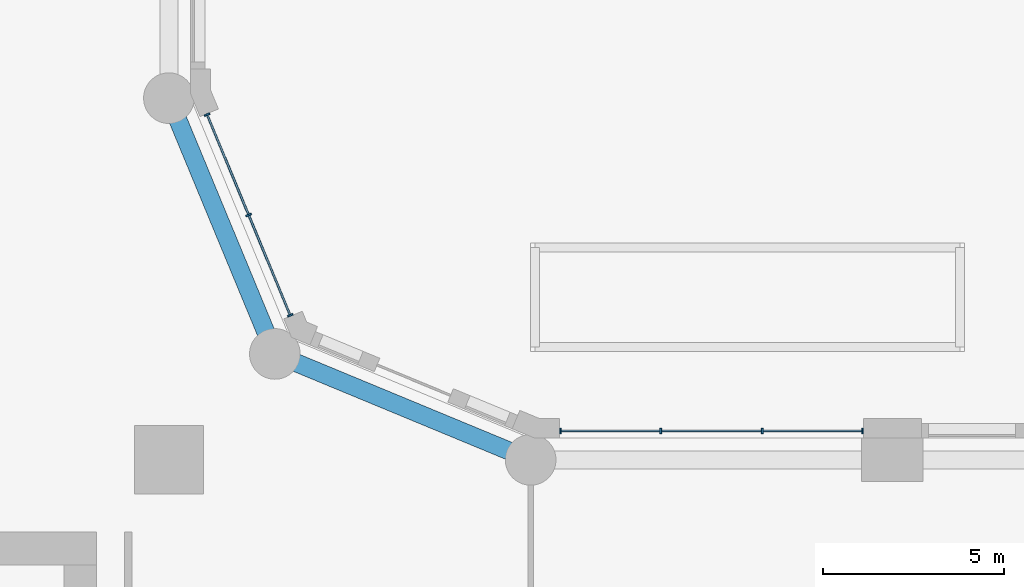
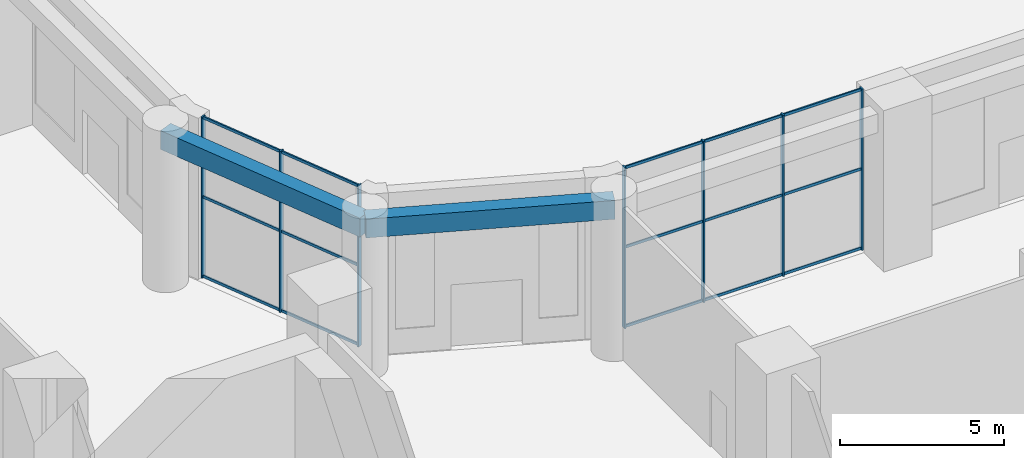
# One storey, part 6 of 28: 22 members, 2 beams, 2 elements without a shape of their own.
"""IFC4 building model written with IfcOpenShell, lengths in metres."""

from ifc_helpers import new_model, si_unit, direction, frame, origin, origin_2d, place, context, subcontext, project, spatial, rectangle, extrude, material, layer, layer_set, material_profile, profile_set, type_object, element, aggregate, save


model = new_model("IFC4")

# Units and contexts
model_context = context("Model", 3, precision=1e-05, world=origin(), true_north=direction((0.0, 1.0)))
body_context = subcontext(model_context, "Body", "Model", "MODEL_VIEW")
ifc_project = project(units=[si_unit("LENGTHUNIT", "METRE"), si_unit("AREAUNIT", "SQUARE_METRE"), si_unit("VOLUMEUNIT", "CUBIC_METRE"), si_unit("PLANEANGLEUNIT", "RADIAN"), si_unit("MASSUNIT", "GRAM", prefix="KILO")], contexts=[model_context])

# Site, building, storey
site_placement = place(None, origin())
site = spatial("IfcSite", under=ifc_project, at=site_placement, CompositionType="ELEMENT")
building_placement = place(site_placement, origin())
building = spatial("IfcBuilding", under=site, at=building_placement, Name="Qaws Garden Tower", CompositionType="ELEMENT")
storey_placement = place(building_placement, frame((0.0, 0.0, 6.0)))
storey = spatial("IfcBuildingStorey", under=building, at=storey_placement, Name="L01", CompositionType="ELEMENT", Elevation=6.0)

# Curtain wall, members
ifc_material_1 = material(Name="Anodised aluminium curtain wall frame", Category="aluminium")
ifc_layer = layer(ifc_material_1, 0.159912109375)
ifc_layer_set = layer_set([ifc_layer], Name="Anodised aluminium curtain wall frame")
curtain_wall_type = type_object("IfcCurtainWallType", Name="CW4 garden level glazing curtain wall", PredefinedType="NOTDEFINED", material=ifc_layer_set)
placement = place(storey_placement, origin())
curtain_wall_1 = element("IfcCurtainWall", 1, at=placement, inside=storey, type_object=curtain_wall_type, Name="CW4 Garden level glazing 10", PredefinedType="NOTDEFINED")
ifc_material_2 = material(Name="Anodised aluminium curtain wall frame", Category="aluminium")
ifc_material_profile_1 = material_profile(ifc_material_2, rectangle(XDim=0.159912109375, YDim=0.050048828125, at=origin_2d()), Name="AL 50x160")
ifc_profile_set_1 = profile_set([ifc_material_profile_1], Name="Anodised aluminium curtain wall frame")
member_type_1 = type_object("IfcMemberType", Name="CW4 mullion 50 x 160", PredefinedType="MULLION", material=ifc_profile_set_1)
member_1_placement = place(storey_placement, frame((49.175048828125, 30.800048828125, 0.0), z_axis=(0.0, 0.0, 1.0), x_axis=(0.0, -1.0, 0.0)))
member_1 = element("IfcMember", 2, at=member_1_placement, type_object=member_type_1, Name="CW4 mullion 1", PredefinedType="MULLION", context=body_context, shape_type="SweptSolid", body=[
    extrude(rectangle(XDim=0.159912109375, YDim=0.050048828125, at=origin_2d()), origin(), (0.0, 0.0, 1.0), 6.0),
])
member_2_placement = place(storey_placement, frame((46.39990234375, 30.800048828125, 0.0), z_axis=(0.0, 0.0, 1.0), x_axis=(0.0, -1.0, 0.0)))
member_2 = element("IfcMember", 3, at=member_2_placement, type_object=member_type_1, Name="CW4 mullion 2", PredefinedType="MULLION", context=body_context, shape_type="SweptSolid", body=[
    extrude(rectangle(XDim=0.159912109375, YDim=0.050048828125, at=origin_2d()), origin(), (0.0, 0.0, 1.0), 6.0),
])
member_3_placement = place(storey_placement, frame((43.60009765625, 30.800048828125, 0.0), z_axis=(0.0, 0.0, 1.0), x_axis=(0.0, -1.0, 0.0)))
member_3 = element("IfcMember", 4, at=member_3_placement, type_object=member_type_1, Name="CW4 mullion 3", PredefinedType="MULLION", context=body_context, shape_type="SweptSolid", body=[
    extrude(rectangle(XDim=0.159912109375, YDim=0.050048828125, at=origin_2d()), origin(), (0.0, 0.0, 1.0), 6.0),
])
member_4_placement = place(storey_placement, frame((40.824951171875, 30.800048828125, 0.0), z_axis=(0.0, 0.0, 1.0), x_axis=(0.0, -1.0, 0.0)))
member_4 = element("IfcMember", 5, at=member_4_placement, type_object=member_type_1, Name="CW4 mullion 4", PredefinedType="MULLION", context=body_context, shape_type="SweptSolid", body=[
    extrude(rectangle(XDim=0.159912109375, YDim=0.050048828125, at=origin_2d()), origin(), (0.0, 0.0, 1.0), 6.0),
])

curtain_wall_2 = element("IfcCurtainWall", 6, at=placement, inside=storey, type_object=curtain_wall_type, Name="CW4 Garden level glazing 12", PredefinedType="NOTDEFINED")
member_5_placement = place(storey_placement, frame((33.352294921875, 33.997314453125, 0.0), z_axis=(0.0, 0.0, 1.0), x_axis=(-0.923879532538, -0.382683432301, 0.0)))
member_5 = element("IfcMember", 7, at=member_5_placement, type_object=member_type_1, Name="CW4 mullion 1", PredefinedType="MULLION", context=body_context, shape_type="SweptSolid", body=[
    extrude(rectangle(XDim=0.159912109375, YDim=0.050048828125, at=origin_2d()), origin(), (0.0, 0.0, 1.0), 6.0),
])
member_6_placement = place(storey_placement, frame((32.20361328125, 36.7705078125, 0.0), z_axis=(0.0, 0.0, 1.0), x_axis=(-0.923879532538, -0.382683432301, 0.0)))
member_6 = element("IfcMember", 8, at=member_6_placement, type_object=member_type_1, Name="CW4 mullion 2", PredefinedType="MULLION", context=body_context, shape_type="SweptSolid", body=[
    extrude(rectangle(XDim=0.159912109375, YDim=0.050048828125, at=origin_2d()), origin(), (0.0, 0.0, 1.0), 6.0),
])
member_7_placement = place(storey_placement, frame((31.054931640625, 39.5439453125, 0.0), z_axis=(0.0, 0.0, 1.0), x_axis=(-0.923879532538, -0.382683432301, 0.0)))
member_7 = element("IfcMember", 9, at=member_7_placement, type_object=member_type_1, Name="CW4 mullion 3", PredefinedType="MULLION", context=body_context, shape_type="SweptSolid", body=[
    extrude(rectangle(XDim=0.159912109375, YDim=0.050048828125, at=origin_2d()), origin(), (0.0, 0.0, 1.0), 6.0),
])

# Member
ifc_material_3 = material(Name="Anodised aluminium curtain wall frame", Category="aluminium")
ifc_material_profile_2 = material_profile(ifc_material_3, rectangle(XDim=0.050048828125, YDim=0.10009765625, at=origin_2d()), Name="AL 50x100")
ifc_profile_set_2 = profile_set([ifc_material_profile_2], Name="Anodised aluminium curtain wall frame")
member_type_2 = type_object("IfcMemberType", Name="CW4 transom 100 x 50", PredefinedType="USERDEFINED", material=ifc_profile_set_2)
member_8_placement = place(storey_placement, frame((49.14990234375, 30.800048828125, 0.050048828125), z_axis=(-1.0, 0.0, 0.0), x_axis=(0.0, -1.0, 0.0)))
member_8 = element("IfcMember", 10, at=member_8_placement, type_object=member_type_2, Name="CW4 transom 1.1", ObjectType="TRANSOM", PredefinedType="USERDEFINED", context=body_context, shape_type="SweptSolid", body=[
    extrude(rectangle(XDim=0.050048828125, YDim=0.10009765625, at=origin_2d()), origin(), (0.0, 0.0, 1.0), 2.724853515625),
])

member_9_placement = place(storey_placement, frame((49.14990234375, 30.800048828125, 3.0), z_axis=(-1.0, 0.0, 0.0), x_axis=(0.0, -1.0, 0.0)))
member_9 = element("IfcMember", 11, at=member_9_placement, type_object=member_type_2, Name="CW4 transom 1.2", ObjectType="TRANSOM", PredefinedType="USERDEFINED", context=body_context, shape_type="SweptSolid", body=[
    extrude(rectangle(XDim=0.050048828125, YDim=0.10009765625, at=origin_2d()), origin(), (0.0, 0.0, 1.0), 2.724853515625),
])

member_10_placement = place(storey_placement, frame((49.14990234375, 30.800048828125, 5.949951171875), z_axis=(-1.0, 0.0, 0.0), x_axis=(0.0, -1.0, 0.0)))
member_10 = element("IfcMember", 12, at=member_10_placement, type_object=member_type_2, Name="CW4 transom 1.3", ObjectType="TRANSOM", PredefinedType="USERDEFINED", context=body_context, shape_type="SweptSolid", body=[
    extrude(rectangle(XDim=0.050048828125, YDim=0.10009765625, at=origin_2d()), origin(), (0.0, 0.0, 1.0), 2.724853515625),
])

member_11_placement = place(storey_placement, frame((46.375, 30.800048828125, 0.050048828125), z_axis=(-1.0, 0.0, 0.0), x_axis=(0.0, -1.0, 0.0)))
member_11 = element("IfcMember", 13, at=member_11_placement, type_object=member_type_2, Name="CW4 transom 2.1", ObjectType="TRANSOM", PredefinedType="USERDEFINED", context=body_context, shape_type="SweptSolid", body=[
    extrude(rectangle(XDim=0.050048828125, YDim=0.10009765625, at=origin_2d()), origin(), (0.0, 0.0, 1.0), 2.75),
])

member_12_placement = place(storey_placement, frame((46.375, 30.800048828125, 3.0), z_axis=(-1.0, 0.0, 0.0), x_axis=(0.0, -1.0, 0.0)))
member_12 = element("IfcMember", 14, at=member_12_placement, type_object=member_type_2, Name="CW4 transom 2.2", ObjectType="TRANSOM", PredefinedType="USERDEFINED", context=body_context, shape_type="SweptSolid", body=[
    extrude(rectangle(XDim=0.050048828125, YDim=0.10009765625, at=origin_2d()), origin(), (0.0, 0.0, 1.0), 2.75),
])

member_13_placement = place(storey_placement, frame((46.375, 30.800048828125, 5.949951171875), z_axis=(-1.0, 0.0, 0.0), x_axis=(0.0, -1.0, 0.0)))
member_13 = element("IfcMember", 15, at=member_13_placement, type_object=member_type_2, Name="CW4 transom 2.3", ObjectType="TRANSOM", PredefinedType="USERDEFINED", context=body_context, shape_type="SweptSolid", body=[
    extrude(rectangle(XDim=0.050048828125, YDim=0.10009765625, at=origin_2d()), origin(), (0.0, 0.0, 1.0), 2.75),
])

member_14_placement = place(storey_placement, frame((43.574951171875, 30.800048828125, 0.050048828125), z_axis=(-1.0, 0.0, 0.0), x_axis=(0.0, -1.0, 0.0)))
member_14 = element("IfcMember", 16, at=member_14_placement, type_object=member_type_2, Name="CW4 transom 3.1", ObjectType="TRANSOM", PredefinedType="USERDEFINED", context=body_context, shape_type="SweptSolid", body=[
    extrude(rectangle(XDim=0.050048828125, YDim=0.10009765625, at=origin_2d()), origin(), (0.0, 0.0, 1.0), 2.724853515625),
])

member_15_placement = place(storey_placement, frame((43.574951171875, 30.800048828125, 3.0), z_axis=(-1.0, 0.0, 0.0), x_axis=(0.0, -1.0, 0.0)))
member_15 = element("IfcMember", 17, at=member_15_placement, type_object=member_type_2, Name="CW4 transom 3.2", ObjectType="TRANSOM", PredefinedType="USERDEFINED", context=body_context, shape_type="SweptSolid", body=[
    extrude(rectangle(XDim=0.050048828125, YDim=0.10009765625, at=origin_2d()), origin(), (0.0, 0.0, 1.0), 2.724853515625),
])

member_16_placement = place(storey_placement, frame((43.574951171875, 30.800048828125, 5.949951171875), z_axis=(-1.0, 0.0, 0.0), x_axis=(0.0, -1.0, 0.0)))
member_16 = element("IfcMember", 18, at=member_16_placement, type_object=member_type_2, Name="CW4 transom 3.3", ObjectType="TRANSOM", PredefinedType="USERDEFINED", context=body_context, shape_type="SweptSolid", body=[
    extrude(rectangle(XDim=0.050048828125, YDim=0.10009765625, at=origin_2d()), origin(), (0.0, 0.0, 1.0), 2.724853515625),
])

aggregate(curtain_wall_1, [member_1, member_2, member_3, member_4, member_8, member_9, member_10, member_11, member_12, member_13, member_14, member_15, member_16])

member_17_placement = place(storey_placement, frame((33.3427734375, 34.020263671875, 0.050048828125), z_axis=(-0.382670746546, 0.923884787047, 0.0), x_axis=(-0.923884787047, -0.382670746546, 0.0)))
member_17 = element("IfcMember", 19, at=member_17_placement, type_object=member_type_2, Name="CW4 transom 1.1", ObjectType="TRANSOM", PredefinedType="USERDEFINED", context=body_context, shape_type="SweptSolid", body=[
    extrude(rectangle(XDim=0.050048828125, YDim=0.10009765625, at=origin_2d()), origin(), (0.0, 0.0, 1.0), 2.951904296875),
])

member_18_placement = place(storey_placement, frame((33.3427734375, 34.020263671875, 3.0), z_axis=(-0.382670746546, 0.923884787047, 0.0), x_axis=(-0.923884787047, -0.382670746546, 0.0)))
member_18 = element("IfcMember", 20, at=member_18_placement, type_object=member_type_2, Name="CW4 transom 1.2", ObjectType="TRANSOM", PredefinedType="USERDEFINED", context=body_context, shape_type="SweptSolid", body=[
    extrude(rectangle(XDim=0.050048828125, YDim=0.10009765625, at=origin_2d()), origin(), (0.0, 0.0, 1.0), 2.951904296875),
])

member_19_placement = place(storey_placement, frame((33.3427734375, 34.020263671875, 5.949951171875), z_axis=(-0.382670746546, 0.923884787047, 0.0), x_axis=(-0.923884787047, -0.382670746546, 0.0)))
member_19 = element("IfcMember", 21, at=member_19_placement, type_object=member_type_2, Name="CW4 transom 1.3", ObjectType="TRANSOM", PredefinedType="USERDEFINED", context=body_context, shape_type="SweptSolid", body=[
    extrude(rectangle(XDim=0.050048828125, YDim=0.10009765625, at=origin_2d()), origin(), (0.0, 0.0, 1.0), 2.951904296875),
])

member_20_placement = place(storey_placement, frame((32.194091796875, 36.793701171875, 0.050048828125), z_axis=(-0.382699988015, 0.923872674763, 0.0), x_axis=(-0.923872674763, -0.382699988015, 0.0)))
member_20 = element("IfcMember", 22, at=member_20_placement, type_object=member_type_2, Name="CW4 transom 2.1", ObjectType="TRANSOM", PredefinedType="USERDEFINED", context=body_context, shape_type="SweptSolid", body=[
    extrude(rectangle(XDim=0.050048828125, YDim=0.10009765625, at=origin_2d()), origin(), (0.0, 0.0, 1.0), 2.95166015625),
])

member_21_placement = place(storey_placement, frame((32.194091796875, 36.793701171875, 3.0), z_axis=(-0.382699988015, 0.923872674763, 0.0), x_axis=(-0.923872674763, -0.382699988015, 0.0)))
member_21 = element("IfcMember", 23, at=member_21_placement, type_object=member_type_2, Name="CW4 transom 2.2", ObjectType="TRANSOM", PredefinedType="USERDEFINED", context=body_context, shape_type="SweptSolid", body=[
    extrude(rectangle(XDim=0.050048828125, YDim=0.10009765625, at=origin_2d()), origin(), (0.0, 0.0, 1.0), 2.95166015625),
])

member_22_placement = place(storey_placement, frame((32.194091796875, 36.793701171875, 5.949951171875), z_axis=(-0.382699988015, 0.923872674763, 0.0), x_axis=(-0.923872674763, -0.382699988015, 0.0)))
member_22 = element("IfcMember", 24, at=member_22_placement, type_object=member_type_2, Name="CW4 transom 2.3", ObjectType="TRANSOM", PredefinedType="USERDEFINED", context=body_context, shape_type="SweptSolid", body=[
    extrude(rectangle(XDim=0.050048828125, YDim=0.10009765625, at=origin_2d()), origin(), (0.0, 0.0, 1.0), 2.95166015625),
])

aggregate(curtain_wall_2, [member_5, member_6, member_7, member_17, member_18, member_19, member_20, member_21, member_22])

# Beams
ifc_material_4 = material(Name="Concrete C45", Category="concrete")
ifc_material_profile_3 = material_profile(ifc_material_4, rectangle(XDim=0.5, YDim=0.699951171875, at=origin_2d()), Name="RC 500x700")
ifc_profile_set_3 = profile_set([ifc_material_profile_3], Name="Concrete C45")
beam_type = type_object("IfcBeamType", Name="Spandrel beam RC 500x700 C45", PredefinedType="SPANDREL", material=ifc_profile_set_3)
for number, where, z_axis, x_axis, name in (
    (25, (40.0, 30.0, 5.330078125), (-0.923878037141, 0.382687042488, 0.0), (-0.382687042488, -0.923878037141, 0.0), "Spandrel beam L01-012"),
    (26, (32.928955078125, 32.928955078125, 5.330078125), (-0.382687042488, 0.923878037141, 0.0), (-0.923878037141, -0.382687042488, 0.0), "Spandrel beam L01-013"),
):
    element("IfcBeam", number, at=place(storey_placement, frame(where, z_axis=z_axis, x_axis=x_axis)), inside=storey, type_object=beam_type, Name=name, PredefinedType="SPANDREL", context=body_context, shape_type="SweptSolid", body=[
        extrude(rectangle(XDim=0.5, YDim=0.699951171875, at=origin_2d()), origin(), (0.0, 0.0, 1.0), 7.653564453125),
    ])

save(model, "model.ifc")
